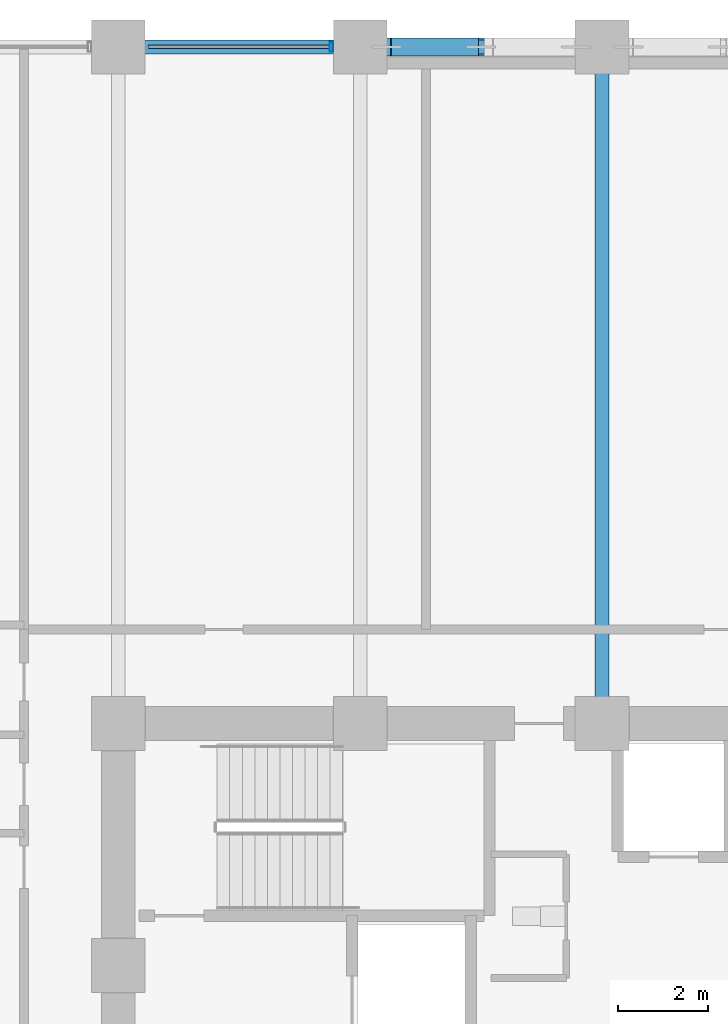
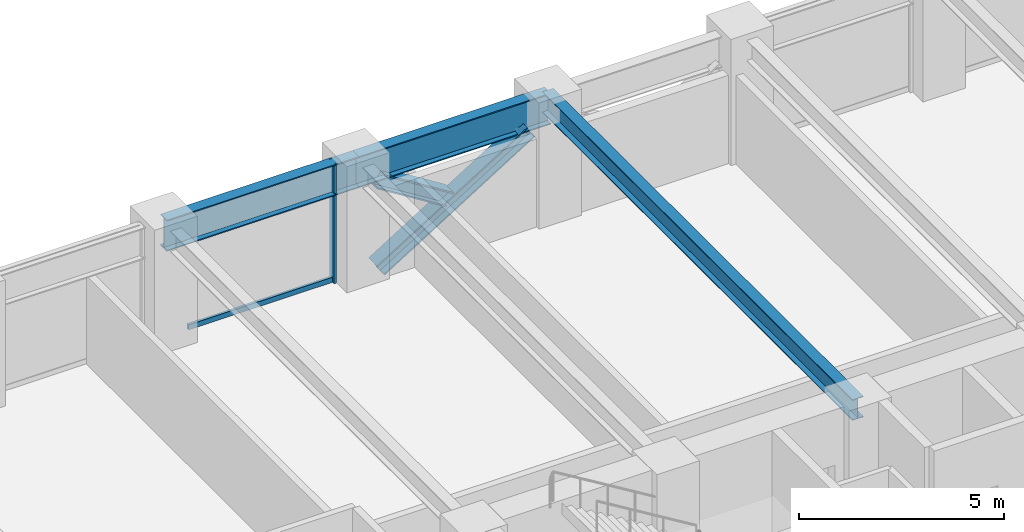
# One storey, part 13 of 26: 4 members, 3 beams, 1 element without a shape of its own.
"""IFC4 building model written with IfcOpenShell, lengths in metres."""

from ifc_helpers import new_model, si_unit, direction, frame, origin, origin_2d, place, context, subcontext, project, spatial, hollow_rectangle, i_section, extrude, material, layer, layer_set, material_profile, profile_set, type_object, element, aggregate, save


model = new_model("IFC4")

# Units and contexts
model_context = context("Model", 3, precision=1e-05, world=origin(), true_north=direction((0.0, 1.0)))
body_context = subcontext(model_context, "Body", "Model", "MODEL_VIEW")
ifc_project = project(units=[si_unit("LENGTHUNIT", "METRE"), si_unit("AREAUNIT", "SQUARE_METRE"), si_unit("VOLUMEUNIT", "CUBIC_METRE"), si_unit("PLANEANGLEUNIT", "RADIAN"), si_unit("MASSUNIT", "GRAM", prefix="KILO")], contexts=[model_context])

# Site, building, storey
site_placement = place(None, origin())
site = spatial("IfcSite", under=ifc_project, at=site_placement, CompositionType="ELEMENT")
building_placement = place(site_placement, origin())
building = spatial("IfcBuilding", under=site, at=building_placement, Name="Surkhivell Harbour Commons", CompositionType="ELEMENT")
storey_placement = place(building_placement, frame((0.0, 0.0, 60.0)))
storey = spatial("IfcBuildingStorey", under=building, at=storey_placement, Name="L15", CompositionType="ELEMENT", Elevation=60.0)

# Beams
ifc_material_1 = material(Name="Steel S355", Category="steel")
ifc_material_profile_1 = material_profile(ifc_material_1, i_section(OverallWidth=0.306884765625, OverallDepth=0.6201171875, WebThickness=0.01416015625, FlangeThickness=0.023681640625, at=origin_2d()), Name="UB610x305x179")
ifc_profile_set_1 = profile_set([ifc_material_profile_1], Name="Steel S355")
beam_type_1 = type_object("IfcBeamType", Name="BM-GRD-610A", PredefinedType="BEAM", material=ifc_profile_set_1)
beam_1_placement = place(storey_placement, frame((0.0, 10.800048828125, 3.260009765625), z_axis=(0.0, 1.0, 0.0), x_axis=(-1.0, 0.0, 0.0)))
element("IfcBeam", 1, at=beam_1_placement, inside=storey, type_object=beam_type_1, Name="L15 Floor Girder (0.0,10.8)", PredefinedType="BEAM", context=body_context, shape_type="SweptSolid", body=[
    extrude(i_section(OverallWidth=0.306884765625, OverallDepth=0.6201171875, WebThickness=0.01416015625, FlangeThickness=0.023681640625, at=origin_2d()), origin(), (0.0, 0.0, 1.0), 15.099853515625),
])
ifc_material_2 = material(Name="Steel S460", Category="steel")
ifc_material_profile_2 = material_profile(ifc_material_2, i_section(OverallWidth=0.30810546875, OverallDepth=0.927001953125, WebThickness=0.01953125, FlangeThickness=0.031982421875, at=origin_2d()), Name="UB914x305x289")
ifc_profile_set_2 = profile_set([ifc_material_profile_2], Name="Steel S460")
beam_type_2 = type_object("IfcBeamType", Name="BM-SPN-914B", PredefinedType="SPANDREL", material=ifc_profile_set_2)
beam_2_placement = place(storey_placement, frame((-10.800048828125, 25.89990234375, 3.1064453125), z_axis=(1.0, 0.0, 0.0), x_axis=(0.0, 1.0, 0.0)))
element("IfcBeam", 2, at=beam_2_placement, inside=storey, type_object=beam_type_2, Name="L15 Tube Spandrel (-10.8,25.9)", PredefinedType="SPANDREL", context=body_context, shape_type="SweptSolid", body=[
    extrude(i_section(OverallWidth=0.30810546875, OverallDepth=0.927001953125, WebThickness=0.01953125, FlangeThickness=0.031982421875, at=origin_2d()), origin(), (0.0, 0.0, 1.0), 5.400146484375),
])
beam_3_placement = place(storey_placement, frame((-5.39990234375, 25.89990234375, 3.1064453125), z_axis=(1.0, 0.0, 0.0), x_axis=(0.0, 1.0, 0.0)))
element("IfcBeam", 3, at=beam_3_placement, inside=storey, type_object=beam_type_2, Name="L15 Tube Spandrel (-5.4,25.9)", PredefinedType="SPANDREL", context=body_context, shape_type="SweptSolid", body=[
    extrude(i_section(OverallWidth=0.30810546875, OverallDepth=0.927001953125, WebThickness=0.01953125, FlangeThickness=0.031982421875, at=origin_2d()), origin(), (0.0, 0.0, 1.0), 5.39990234375),
])

# Curtain wall, members
ifc_material_3 = material(Name="Anodised pale-metal aluminium and insulated glazing", Category="aluminium")
ifc_layer = layer(ifc_material_3, 0.219970703125)
ifc_layer_set = layer_set([ifc_layer], Name="Anodised pale-metal aluminium and insulated glazing")
curtain_wall_type = type_object("IfcCurtainWallType", Name="CW-SYS-Z1", PredefinedType="NOTDEFINED", material=ifc_layer_set)
curtain_wall_placement = place(storey_placement, origin())
curtain_wall = element("IfcCurtainWall", 4, at=curtain_wall_placement, inside=storey, type_object=curtain_wall_type, Name="L15 Curtain Wall CW-L15-E07S2", PredefinedType="NOTDEFINED")
ifc_material_4 = material(Name="Anodised pale-metal aluminium alloy 6063-T6", Category="aluminium")
ifc_material_profile_3 = material_profile(ifc_material_4, hollow_rectangle(XDim=0.074951171875, YDim=0.219970703125, WallThickness=0.00390625, at=origin_2d()), Name="ALU-MULL-75x220")
ifc_profile_set_3 = profile_set([ifc_material_profile_3], Name="Anodised pale-metal aluminium alloy 6063-T6")
member_type_1 = type_object("IfcMemberType", Name="CWM-220", PredefinedType="MULLION", material=ifc_profile_set_3)
member_1_placement = place(storey_placement, frame((-6.03955078125, 25.89990234375, 0.0), z_axis=(0.0, 0.0, 1.0), x_axis=(-1.0, 0.0, 0.0)))
member_1 = element("IfcMember", 5, at=member_1_placement, type_object=member_type_1, Name="CW-Z1 mullion 1", PredefinedType="MULLION", context=body_context, shape_type="SweptSolid", body=[
    extrude(hollow_rectangle(XDim=0.074951171875, YDim=0.219970703125, WallThickness=0.00390625, at=origin_2d()), origin(), (0.0, 0.0, 1.0), 3.570068359375),
])
ifc_material_profile_4 = material_profile(ifc_material_4, hollow_rectangle(XDim=0.074951171875, YDim=0.14990234375, WallThickness=0.00341796875, at=origin_2d()), Name="ALU-TRAN-75x150")
ifc_profile_set_4 = profile_set([ifc_material_profile_4], Name="Anodised pale-metal aluminium alloy 6063-T6")
member_type_2 = type_object("IfcMemberType", Name="CWT-150", PredefinedType="USERDEFINED", material=ifc_profile_set_4)
member_2_placement = place(storey_placement, frame((-6.076904296875, 25.89990234375, 0.074951171875), z_axis=(-1.0, 0.0, 0.0), x_axis=(0.0, -1.0, 0.0)))
member_2 = element("IfcMember", 6, at=member_2_placement, type_object=member_type_2, Name="CW-Z1 transom 1.1", ObjectType="TRANSOM", PredefinedType="USERDEFINED", context=body_context, shape_type="SweptSolid", body=[
    extrude(hollow_rectangle(XDim=0.074951171875, YDim=0.14990234375, WallThickness=0.00341796875, at=origin_2d()), origin(), (0.0, 0.0, 1.0), 4.046142578125),
])
aggregate(curtain_wall, [member_1, member_2])

# Members
ifc_material_profile_5 = material_profile(ifc_material_2, i_section(OverallWidth=0.406005859375, OverallDepth=0.416015625, WebThickness=0.026611328125, FlangeThickness=0.0390625, at=origin_2d()), Name="HD400x382")
ifc_profile_set_5 = profile_set([ifc_material_profile_5], Name="Steel S460")
member_type_3 = type_object("IfcMemberType", Name="MEM-BRC-HD382", PredefinedType="BRACE", material=ifc_profile_set_5)
member_3_placement = place(storey_placement, frame((-4.81494140625, 25.89990234375, 0.008056640625), z_axis=(0.848432685315, 0.0, 0.529303295369), x_axis=(0.0, 1.0, 0.0)))
element("IfcMember", 7, at=member_3_placement, inside=storey, type_object=member_type_3, Name="L15 Perimeter Mega-Brace MB- 01", PredefinedType="BRACE", context=body_context, shape_type="SweptSolid", body=[
    extrude(i_section(OverallWidth=0.406005859375, OverallDepth=0.416015625, WebThickness=0.026611328125, FlangeThickness=0.0390625, at=origin_2d()), origin(), (0.0, 0.0, 1.0), 4.985595703125),
])
member_4_placement = place(storey_placement, frame((-2.869384765625, 25.89990234375, 1.43310546875), z_axis=(-0.848410744023, 0.0, 0.529338463958), x_axis=(0.0, -1.0, 0.0)))
element("IfcMember", 8, at=member_4_placement, inside=storey, type_object=member_type_3, Name="L15 Perimeter Mega-Brace MB- 03", PredefinedType="BRACE", context=body_context, shape_type="SweptSolid", body=[
    extrude(i_section(OverallWidth=0.406005859375, OverallDepth=0.416015625, WebThickness=0.026611328125, FlangeThickness=0.0390625, at=origin_2d()), origin(), (0.0, 0.0, 1.0), 2.293212890625),
])

save(model, "model.ifc")
